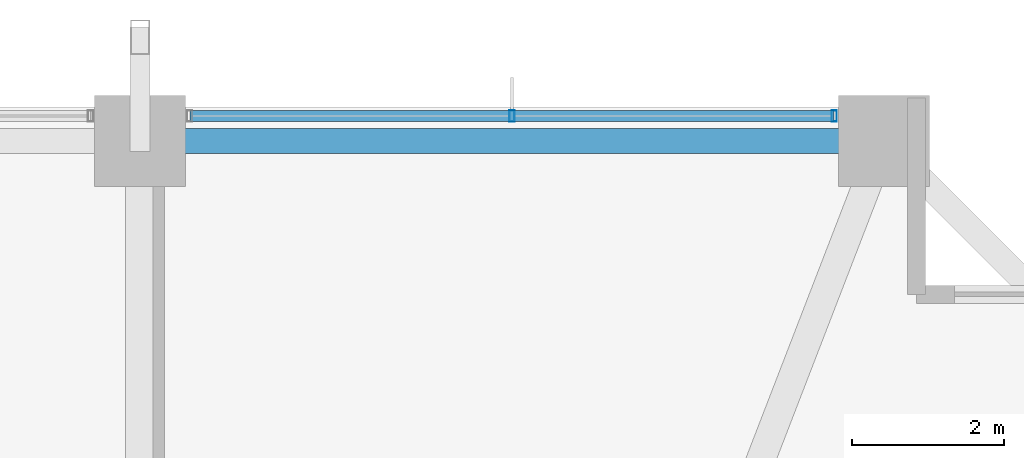
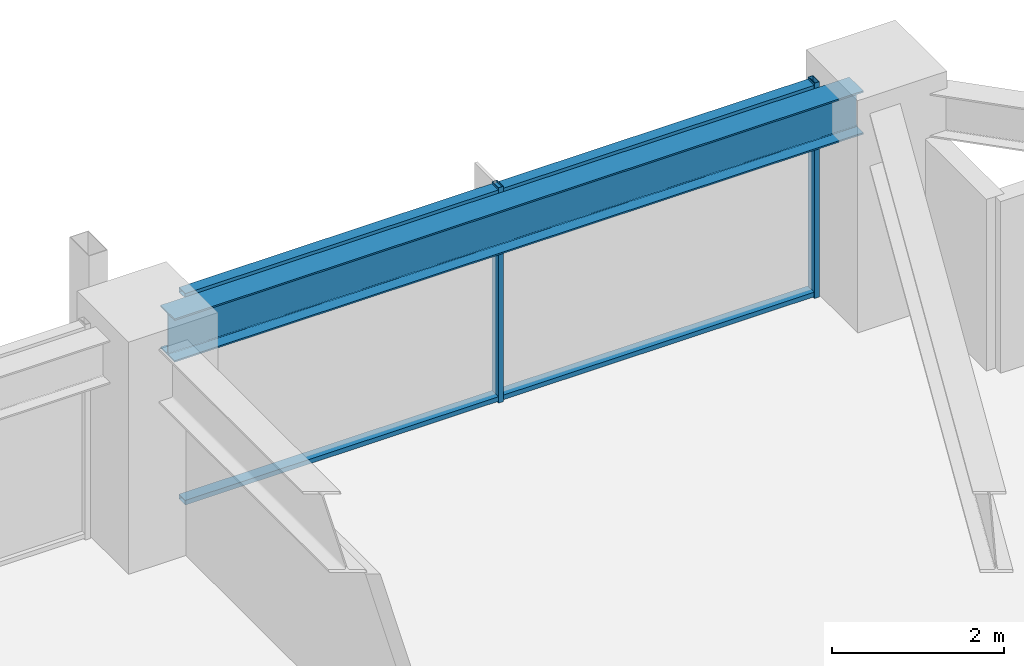
# One storey, part 26 of 38: 4 members, 1 beam, 1 element without a shape of its own.
"""IFC4 building model written with IfcOpenShell, lengths in metres."""

import ifcopenshell
import ifcopenshell.guid

model = None  # the IFC model being written
_history = None  # IfcOwnerHistory: only IFC2X3 demands one
_inside = {}  # id of a spatial element -> (the spatial element, [elements in it])
_under = {}  # id of a project, library or spatial element -> (it, [spatial elements below it])
_declared = {}  # id of a project -> (the project, [libraries it declares])
_typed = {}  # id of a type object -> (the type object, [elements of that type])
_made_of = {}  # id of a material, layer set ... -> (it, [elements and type objects made of it])


def new_model(schema):
    """Start an empty IFC model of exactly this schema.

    Asked for "IFC4X3", IfcOpenShell would pick the latest addendum, in which some entities
    have other attributes; the version numbers below select the first issue.
    IFC2X3 requires an IfcOwnerHistory on every rooted entity: one is made here for all.
    """
    global model, _history
    if schema == "IFC4X3":
        model = ifcopenshell.file(schema_version=(4, 3, 0, 0))
    else:
        model = ifcopenshell.file(schema=schema)
    _inside.clear()
    _under.clear()
    _declared.clear()
    _typed.clear()
    _made_of.clear()
    _history = None
    if model.schema == "IFC2X3":
        org = make("IfcOrganization", Name="unknown")
        user = make(
            "IfcPersonAndOrganization",
            ThePerson=make("IfcPerson", FamilyName="unknown"),
            TheOrganization=org,
        )
        app = make(
            "IfcApplication",
            ApplicationDeveloper=org,
            Version="unknown",
            ApplicationFullName="unknown",
            ApplicationIdentifier="unknown",
        )
        _history = make(
            "IfcOwnerHistory",
            OwningUser=user,
            OwningApplication=app,
            ChangeAction="ADDED",
            CreationDate=0,
        )
    return model


def make(cls, **values):
    """One entity of the class cls with the attributes given. An attribute that is None is left unset."""
    return model.create_entity(
        cls, **{name: value for name, value in values.items() if value is not None}
    )


def rooted(cls, **values):
    """An entity with a GlobalId (a new one), such as an element, a storey or a relation."""
    return make(cls, GlobalId=ifcopenshell.guid.new(), OwnerHistory=_history, **values)


def si_unit(unit_type, name, prefix=None):
    """IfcSIUnit, for example si_unit("LENGTHUNIT", "METRE", prefix="MILLI")."""
    return make("IfcSIUnit", UnitType=unit_type, Prefix=prefix, Name=name)


def assignment(units):
    """IfcUnitAssignment: the units of a project."""
    return None if units is None else make("IfcUnitAssignment", Units=units)


def point(xyz):
    """IfcCartesianPoint."""
    return None if xyz is None else make("IfcCartesianPoint", Coordinates=xyz)


def direction(xyz):
    """IfcDirection."""
    return None if xyz is None else make("IfcDirection", DirectionRatios=xyz)


def frame(location, z_axis=None, x_axis=None):
    """IfcAxis2Placement3D, a coordinate frame: its origin and axes. An axis left out is left unset."""
    return make(
        "IfcAxis2Placement3D",
        Location=point(location),
        Axis=direction(z_axis),
        RefDirection=direction(x_axis),
    )


def frame_2d(location, x_axis=None):
    """IfcAxis2Placement2D, a coordinate frame in the plane: its origin and x axis."""
    return make(
        "IfcAxis2Placement2D", Location=point(location), RefDirection=direction(x_axis)
    )


def origin():
    """The frame at (0, 0, 0) with its axes left unset."""
    return frame((0.0, 0.0, 0.0))


def origin_2d():
    """The frame at (0, 0) in the plane with its x axis left unset."""
    return frame_2d((0.0, 0.0))


def place(relative_to, where):
    """IfcLocalPlacement: puts the frame where relative to a parent placement (None: the world)."""
    return make(
        "IfcLocalPlacement", PlacementRelTo=relative_to, RelativePlacement=where
    )


def context(
    kind, dimensions, precision=None, world=None, true_north=None, identifier=None
):
    """IfcGeometricRepresentationContext, for example the 3D "Model" context."""
    return make(
        "IfcGeometricRepresentationContext",
        ContextIdentifier=identifier,
        ContextType=kind,
        CoordinateSpaceDimension=dimensions,
        Precision=precision,
        WorldCoordinateSystem=world,
        TrueNorth=true_north,
    )


def subcontext(parent, identifier, kind, view, scale=None):
    """IfcGeometricRepresentationSubContext, for example "Body" below "Model"."""
    return make(
        "IfcGeometricRepresentationSubContext",
        ContextIdentifier=identifier,
        ContextType=kind,
        ParentContext=parent,
        TargetScale=scale,
        TargetView=view,
    )


def project(units=None, contexts=None):
    """IfcProject with its units and contexts."""
    return rooted(
        "IfcProject",
        Name="project",
        RepresentationContexts=contexts,
        UnitsInContext=assignment(units),
    )


def spatial(cls, under=None, at=None, **own):
    """A site, building, storey or space (cls), placed at a placement, below another one or the project."""
    s = rooted(cls, ObjectPlacement=at, **own)
    if under is not None:
        _under.setdefault(under.id(), (under, []))[1].append(s)
    return s


def profile(cls, at=None, kind="AREA", **sizes):
    """A parametric profile (cls). Its sizes go by their IFC names, for example OverallWidth=200.0."""
    return make(cls, ProfileType=kind, Position=at, **sizes)


def hollow_rectangle(**sizes):
    """IfcRectangleHollowProfileDef."""
    return profile("IfcRectangleHollowProfileDef", **sizes)


def i_section(**sizes):
    """IfcIShapeProfileDef."""
    return profile("IfcIShapeProfileDef", **sizes)


def extrude(swept, where, along, depth):
    """IfcExtrudedAreaSolid: the profile swept, set in the frame where, extruded along a direction by depth."""
    return make(
        "IfcExtrudedAreaSolid",
        SweptArea=swept,
        Position=where,
        ExtrudedDirection=direction(along),
        Depth=depth,
    )


def shape(context_of_items, identifier, shape_type, items):
    """IfcShapeRepresentation: the items that make up one representation, for example the "Body"."""
    return make(
        "IfcShapeRepresentation",
        ContextOfItems=context_of_items,
        RepresentationIdentifier=identifier,
        RepresentationType=shape_type,
        Items=items,
    )


def material(Name=None, Category=None):
    """IfcMaterial."""
    return make("IfcMaterial", Name=Name, Category=Category)


def material_profile(
    of_material, cross_section, Name=None, Category=None, Priority=None
):
    """IfcMaterialProfile: a cross section and its material."""
    return make(
        "IfcMaterialProfile",
        Name=Name,
        Material=of_material,
        Profile=cross_section,
        Priority=Priority,
        Category=Category,
    )


def profile_set(profiles, Name=None, composite=None):
    """IfcMaterialProfileSet."""
    return make(
        "IfcMaterialProfileSet",
        Name=Name,
        MaterialProfiles=profiles,
        CompositeProfile=composite,
    )


def made_of(thing, what):
    """Note that an element or type object is made of a material, layer set ...; save() writes the relation."""
    if what is not None:
        _made_of.setdefault(what.id(), (what, []))[1].append(thing)
    return thing


def type_object(cls, material=None, **own):
    """A type object (cls), such as IfcWallType, which elements share."""
    return made_of(rooted(cls, **own), material)


def element(
    cls,
    number,
    at=None,
    inside=None,
    cuts=None,
    type_object=None,
    material=None,
    context=None,
    identifier="Body",
    shape_type=None,
    held_by="IfcProductDefinitionShape",
    body=None,
    shapes=None,
    **own,
):
    """One element of the class cls, such as IfcWall. Its Tag is "e" and its number.

    at: its placement. inside: the storey or other place that contains it. cuts: it is an
    opening in that element (IfcRelVoidsElement). A single representation is given by context,
    identifier, shape_type and body (its items); several are given by shapes. held_by: the class
    of the entity that holds the representations. save() writes the other relations.
    """
    e = rooted(cls, Tag="e%d" % number, ObjectPlacement=at, **own)
    if body is not None:
        shapes = [shape(context, identifier, shape_type, body)]
    if shapes is not None:
        e.Representation = make(held_by, Representations=shapes)
    if inside is not None:
        _inside.setdefault(inside.id(), (inside, []))[1].append(e)
    if cuts is not None:
        rooted(
            "IfcRelVoidsElement", RelatingBuildingElement=cuts, RelatedOpeningElement=e
        )
    if type_object is not None:
        _typed.setdefault(type_object.id(), (type_object, []))[1].append(e)
    return made_of(e, material)


def aggregate(whole, parts):
    """IfcRelAggregates: a whole, such as a stair, and the parts it consists of."""
    return rooted("IfcRelAggregates", RelatingObject=whole, RelatedObjects=parts)


def save(model, path):
    """Write the relations noted so far, then the file.

    IfcRelAggregates (storeys below a building ...), IfcRelContainedInSpatialStructure (elements
    in a storey), IfcRelDefinesByType, IfcRelAssociatesMaterial and IfcRelDeclares: one each for
    every whole, place, type object, material and project.
    """
    for whole, parts in _under.values():
        aggregate(whole, parts)
    for where, things in _inside.values():
        rooted(
            "IfcRelContainedInSpatialStructure",
            RelatedElements=things,
            RelatingStructure=where,
        )
    for kind, things in _typed.values():
        rooted("IfcRelDefinesByType", RelatedObjects=things, RelatingType=kind)
    for what, things in _made_of.values():
        rooted("IfcRelAssociatesMaterial", RelatedObjects=things, RelatingMaterial=what)
    for by, libraries in _declared.values():
        rooted("IfcRelDeclares", RelatingContext=by, RelatedDefinitions=libraries)
    model.write(path)


model = new_model("IFC4")

# Units and contexts
model_context = context("Model", 3, precision=1e-05, world=origin(), true_north=direction((0.0, 1.0)))
body_context = subcontext(model_context, "Body", "Model", "MODEL_VIEW")
ifc_project = project(units=[si_unit("LENGTHUNIT", "METRE"), si_unit("AREAUNIT", "SQUARE_METRE"), si_unit("VOLUMEUNIT", "CUBIC_METRE"), si_unit("PLANEANGLEUNIT", "RADIAN"), si_unit("MASSUNIT", "GRAM", prefix="KILO")], contexts=[model_context])

# Site, building, storey
site_placement = place(None, origin())
site = spatial("IfcSite", under=ifc_project, at=site_placement, CompositionType="ELEMENT")
building_placement = place(site_placement, origin())
building = spatial("IfcBuilding", under=site, at=building_placement, Name="Kolvaren Belvedere", CompositionType="ELEMENT")
storey_placement = place(building_placement, frame((0.0, 0.0, 53.5)))
storey = spatial("IfcBuildingStorey", under=building, at=storey_placement, Name="L15", CompositionType="ELEMENT", Elevation=53.5)

# Beam
ifc_material_1 = material(Name="Structural steel ASTM A992 Grade 50", Category="steel")
ifc_material_profile_1 = material_profile(ifc_material_1, i_section(OverallWidth=0.324951171875, OverallDepth=0.615966796875, WebThickness=0.013916015625, FlangeThickness=0.021484375, FilletRadius=0.02001953125, at=origin_2d()), Name="W24X117")
ifc_profile_set_1 = profile_set([ifc_material_profile_1], Name="Structural steel ASTM A992 Grade 50")
beam_type = type_object("IfcBeamType", Name="BM-SPAN-W24X117", PredefinedType="SPANDREL", material=ifc_profile_set_1)
beam_placement = place(storey_placement, frame((14.1298828125, 21.550048828125, 2.751953125), z_axis=(-1.0, 0.0, 0.0), x_axis=(0.0, -1.0, 0.0)))
element("IfcBeam", 1, at=beam_placement, inside=storey, type_object=beam_type, Name="L15 Perimeter Spandrel N4-N3", PredefinedType="SPANDREL", context=body_context, shape_type="SweptSolid", body=[
    extrude(i_section(OverallWidth=0.324951171875, OverallDepth=0.615966796875, WebThickness=0.013916015625, FlangeThickness=0.021484375, FilletRadius=0.02001953125, at=origin_2d()), origin(), (0.0, 0.0, 1.0), 9.259765625),
])

# Curtain wall, members
ifc_material_2 = material(Name="Anodised pale-metal aluminium AA 6063-T6", Category="aluminium")
curtain_wall_type = type_object("IfcCurtainWallType", Name="CW-Z1-LOW", PredefinedType="NOTDEFINED", material=ifc_material_2)
curtain_wall_placement = place(storey_placement, origin())
curtain_wall = element("IfcCurtainWall", 2, at=curtain_wall_placement, inside=storey, type_object=curtain_wall_type, Name="L15 Unitised Curtain Wall FCW-L15-N-B3", PredefinedType="NOTDEFINED")
ifc_material_3 = material(Name="Anodised pale-metal aluminium AA 6063-T6", Category="aluminium")
ifc_material_profile_2 = material_profile(ifc_material_3, hollow_rectangle(XDim=0.070068359375, YDim=0.14990234375, WallThickness=0.004150390625, at=origin_2d()), Name="ALU-MUL-150X70")
ifc_profile_set_2 = profile_set([ifc_material_profile_2], Name="Anodised pale-metal aluminium AA 6063-T6")
member_type_1 = type_object("IfcMemberType", Name="CW-MUL-150", PredefinedType="MULLION", material=ifc_profile_set_2)
member_1_placement = place(storey_placement, frame((9.5, 21.8798828125, 0.0), z_axis=(0.0, 0.0, 1.0), x_axis=(1.0, 0.0, 0.0)))
member_1 = element("IfcMember", 3, at=member_1_placement, type_object=member_type_1, Name="FCW-L15-N-B3 Unitised Mullion 2", PredefinedType="MULLION", context=body_context, shape_type="SweptSolid", body=[
    extrude(hollow_rectangle(XDim=0.070068359375, YDim=0.14990234375, WallThickness=0.004150390625, at=origin_2d()), origin(), (0.0, 0.0, 1.0), 3.06005859375),
])
member_2_placement = place(storey_placement, frame((13.7451171875, 21.8798828125, 0.0), z_axis=(0.0, 0.0, 1.0), x_axis=(1.0, 0.0, 0.0)))
member_2 = element("IfcMember", 4, at=member_2_placement, type_object=member_type_1, Name="FCW-L15-N-B3 Unitised Mullion 3", PredefinedType="MULLION", context=body_context, shape_type="SweptSolid", body=[
    extrude(hollow_rectangle(XDim=0.070068359375, YDim=0.14990234375, WallThickness=0.004150390625, at=origin_2d()), origin(), (0.0, 0.0, 1.0), 3.06005859375),
])
ifc_material_4 = material(Name="Anodised pale-metal aluminium AA 6063-T6", Category="aluminium")
ifc_material_profile_3 = material_profile(ifc_material_4, hollow_rectangle(XDim=0.06494140625, YDim=0.14990234375, WallThickness=0.00390625, at=origin_2d()), Name="ALU-TRN-150X65")
ifc_profile_set_3 = profile_set([ifc_material_profile_3], Name="Anodised pale-metal aluminium AA 6063-T6")
member_type_2 = type_object("IfcMemberType", Name="CW-TRN-150", PredefinedType="USERDEFINED", material=ifc_profile_set_3)
member_3_placement = place(storey_placement, frame((5.2548828125, 21.8798828125, 0.06005859375), z_axis=(1.0, 0.0, 0.0), x_axis=(0.0, 0.0, 1.0)))
member_3 = element("IfcMember", 5, at=member_3_placement, type_object=member_type_2, Name="FCW-L15-N-B3 Sill Transom", ObjectType="TRANSOM", PredefinedType="USERDEFINED", context=body_context, shape_type="SweptSolid", body=[
    extrude(hollow_rectangle(XDim=0.06494140625, YDim=0.14990234375, WallThickness=0.00390625, at=origin_2d()), origin(), (0.0, 0.0, 1.0), 8.490234375),
])
member_4_placement = place(storey_placement, frame((5.2548828125, 21.8798828125, 3.0), z_axis=(1.0, 0.0, 0.0), x_axis=(0.0, 0.0, 1.0)))
member_4 = element("IfcMember", 6, at=member_4_placement, type_object=member_type_2, Name="FCW-L15-N-B3 Head Transom", ObjectType="TRANSOM", PredefinedType="USERDEFINED", context=body_context, shape_type="SweptSolid", body=[
    extrude(hollow_rectangle(XDim=0.06494140625, YDim=0.14990234375, WallThickness=0.00390625, at=origin_2d()), origin(), (0.0, 0.0, 1.0), 8.490234375),
])
aggregate(curtain_wall, [member_1, member_2, member_3, member_4])

save(model, "model.ifc")
